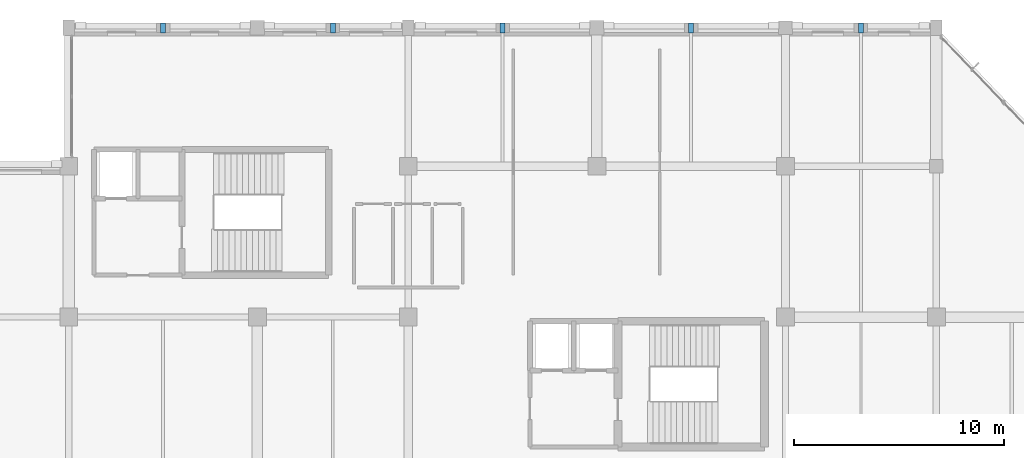
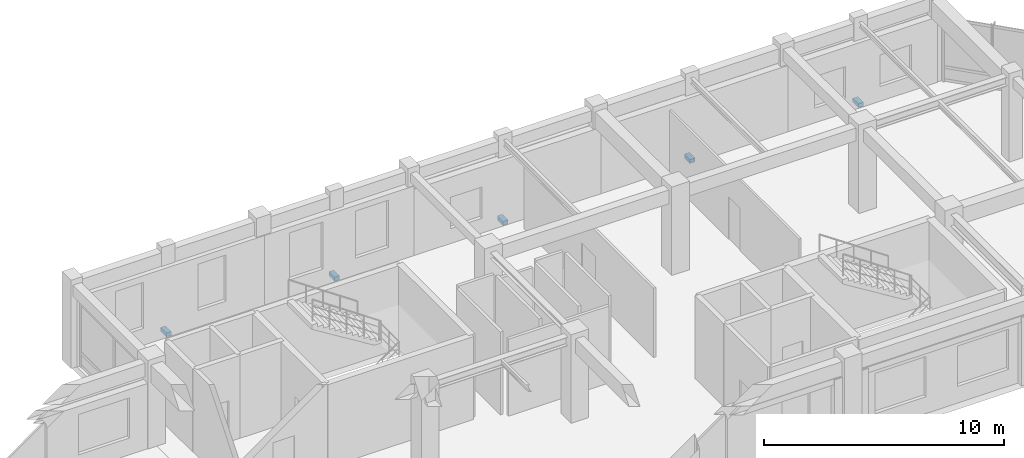
# One storey, part 51 of 62: 5 discrete accessories.
"""IFC4 building model written with IfcOpenShell, lengths in metres."""

from ifc_helpers import new_model, si_unit, direction, frame, origin, origin_2d, place, context, subcontext, project, spatial, rectangle, extrude, material, type_object, element, save


model = new_model("IFC4")

# Units and contexts
model_context = context("Model", 3, precision=1e-05, world=origin(), true_north=direction((0.0, 1.0)))
body_context = subcontext(model_context, "Body", "Model", "MODEL_VIEW")
ifc_project = project(units=[si_unit("LENGTHUNIT", "METRE"), si_unit("AREAUNIT", "SQUARE_METRE"), si_unit("VOLUMEUNIT", "CUBIC_METRE"), si_unit("PLANEANGLEUNIT", "RADIAN"), si_unit("MASSUNIT", "GRAM", prefix="KILO")], contexts=[model_context])

# Site, building, storey
site_placement = place(None, origin())
site = spatial("IfcSite", under=ifc_project, at=site_placement, CompositionType="ELEMENT")
building_placement = place(site_placement, origin())
building = spatial("IfcBuilding", under=site, at=building_placement, Name="Clarverna Civic Hall", CompositionType="ELEMENT")
storey_placement = place(building_placement, frame((0.0, 0.0, 5.10009765625)))
storey = spatial("IfcBuildingStorey", under=building, at=storey_placement, Name="L01", CompositionType="ELEMENT", Elevation=5.10009765625)

# Discrete accessories
ifc_material = material(Name="Anodised Bronze Support Bracket")
discrete_accessory_type = type_object("IfcDiscreteAccessoryType", Name="BRK-01", PredefinedType="BRACKET", material=ifc_material)
for number, where, z_axis, x_axis, name in (
    (1, (117.89990234375, 116.0, -0.10009765625), (0.0, 0.0, 1.0), (1.0, 0.0, 0.0), "BRK-01-001"),
    (2, (126.0, 116.0, -0.10009765625), (0.0, 0.0, 1.0), (1.0, 0.0, 0.0), "BRK-01-002"),
    (3, (134.10009765625, 116.0, -0.10009765625), (0.0, 0.0, 1.0), (1.0, 0.0, 0.0), "BRK-01-003"),
    (4, (143.10009765625, 116.0, -0.10009765625), (0.0, 0.0, 1.0), (1.0, 0.0, 0.0), "BRK-01-004"),
    (5, (151.199951171875, 116.0, -0.10009765625), (0.0, 0.0, 1.0), (1.0, 0.0, 0.0), "BRK-01-005"),
):
    element("IfcDiscreteAccessory", number, at=place(storey_placement, frame(where, z_axis=z_axis, x_axis=x_axis)), inside=storey, type_object=discrete_accessory_type, Name=name, PredefinedType="BRACKET", context=body_context, shape_type="SweptSolid", body=[
        extrude(rectangle(XDim=0.239990234375, YDim=0.47998046875, at=origin_2d()), origin(), (0.0, 0.0, 1.0), 0.199951171875),
    ])

save(model, "model.ifc")
